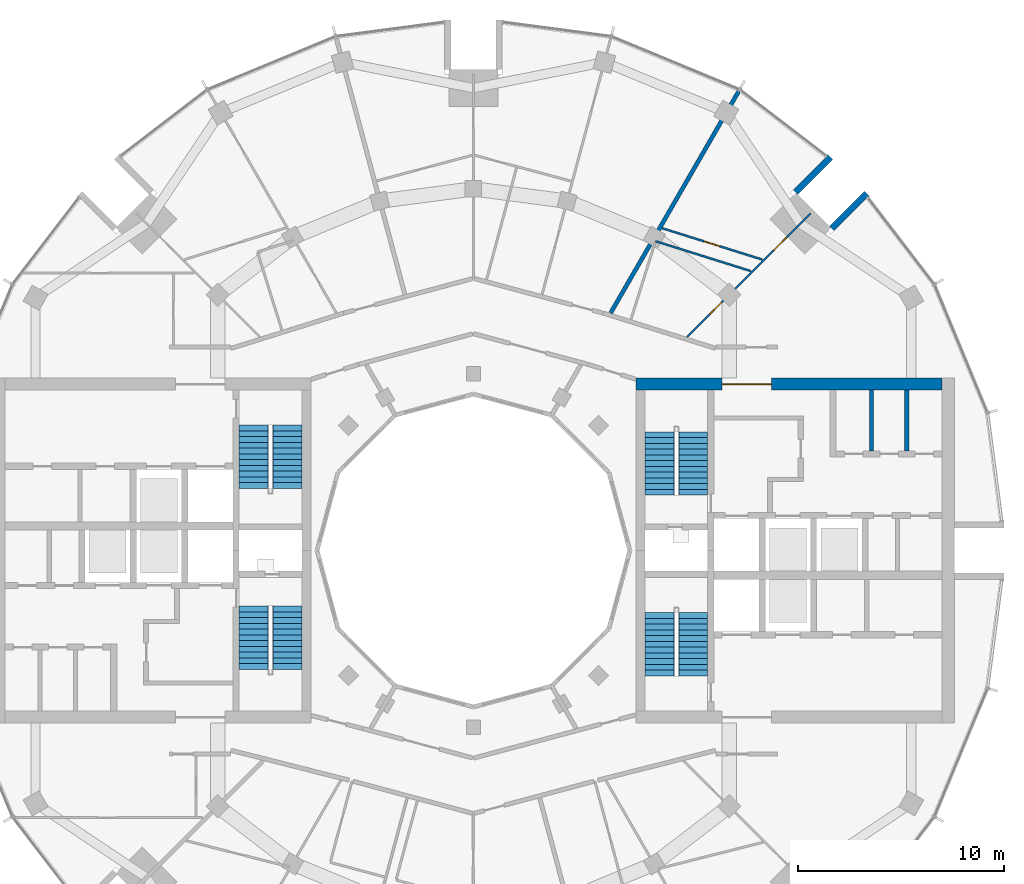
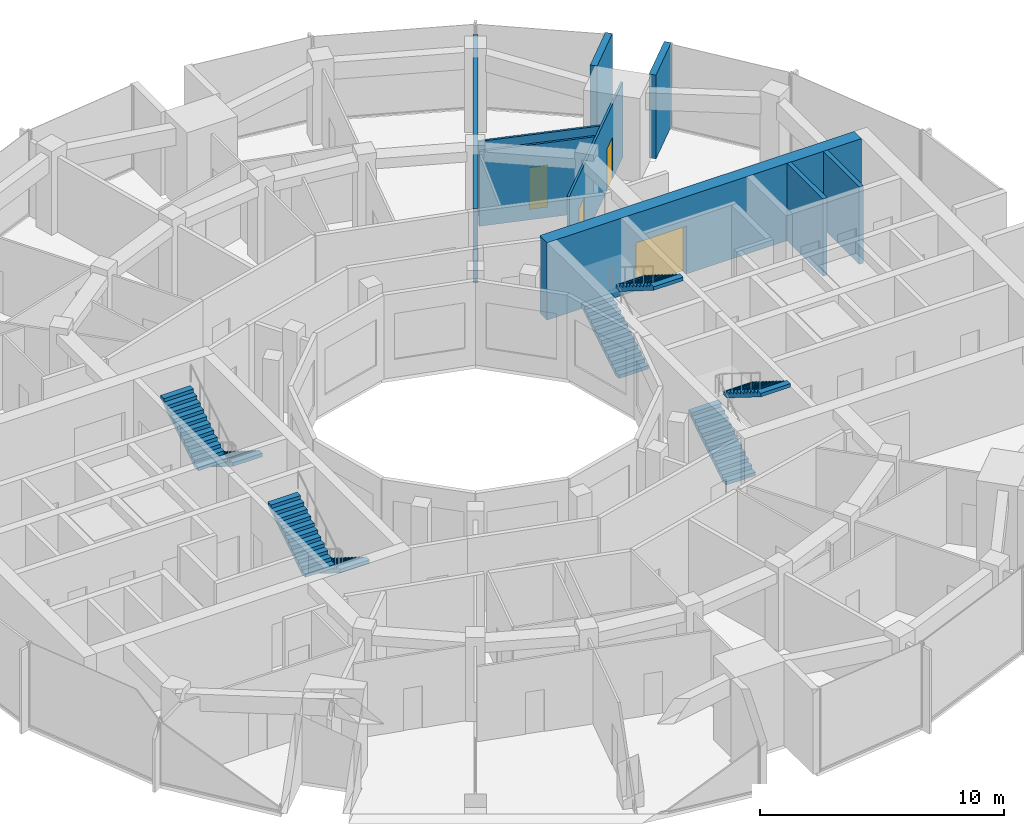
# One storey, part 13 of 15: 9 walls, 8 stair flights, 4 doors, 4 openings, 4 elements without a shape of their own.
"""IFC4 building model written with IfcOpenShell, lengths in metres."""

from ifc_helpers import new_model, si_unit, direction, frame, frame_2d, origin, place, context, subcontext, project, spatial, polyline, rectangle, outline, extrude, material, layer, layer_set, type_object, element, fill, aggregate, save


model = new_model("IFC4")

# Units and contexts
model_context = context("Model", 3, precision=1e-05, world=origin(), true_north=direction((0.0, 1.0)))
body_context = subcontext(model_context, "Body", "Model", "MODEL_VIEW")
ifc_project = project(units=[si_unit("LENGTHUNIT", "METRE"), si_unit("AREAUNIT", "SQUARE_METRE"), si_unit("VOLUMEUNIT", "CUBIC_METRE"), si_unit("PLANEANGLEUNIT", "RADIAN"), si_unit("MASSUNIT", "GRAM", prefix="KILO")], contexts=[model_context])

# Site, building, storey
site_placement = place(None, origin())
site = spatial("IfcSite", under=ifc_project, at=site_placement, CompositionType="ELEMENT")
building_placement = place(site_placement, origin())
building = spatial("IfcBuilding", under=site, at=building_placement, Name="Torre Brocal", CompositionType="ELEMENT")
storey_placement = place(building_placement, frame((0.0, 0.0, 258.300048828125)))
storey = spatial("IfcBuildingStorey", under=building, at=storey_placement, Name="L59", CompositionType="ELEMENT", Elevation=258.300048828125)

# Walls
ifc_material_1 = material(Name="Masonry block", Category="masonry")
ifc_layer_1 = layer(ifc_material_1, 0.199951171875)
ifc_layer_set_1 = layer_set([ifc_layer_1], Name="Masonry block")
wall_type_1 = type_object("IfcWallType", Name="CORE PARTITION 200", PredefinedType="PARTITIONING", material=ifc_layer_set_1)
for number, where, z_axis, x_axis, name in (
    (1, (99.36669921875, 79.85009765625, 0.0), (0.0, 0.0, 1.0), (0.0, 1.0, 0.0), "Wall CP200"),
    (2, (101.083251953125, 79.85009765625, 0.0), (0.0, 0.0, 1.0), (0.0, 1.0, 0.0), "Wall CP200"),
):
    element("IfcWall", number, at=place(storey_placement, frame(where, z_axis=z_axis, x_axis=x_axis)), inside=storey, type_object=wall_type_1, Name=name, PredefinedType="PARTITIONING", context=body_context, shape_type="SweptSolid", body=[
        extrude(rectangle(XDim=2.949951171875, YDim=0.199951171875, at=frame_2d((1.47509765625, 0.0))), origin(), (0.0, 0.0, 1.0), 3.8798828125),
    ])

# Wall, opening, door
ifc_material_2 = material(Name="Concrete C60", Category="concrete")
ifc_layer_2 = layer(ifc_material_2, 0.60009765625)
ifc_layer_set_2 = layer_set([ifc_layer_2], Name="Concrete C60")
wall_type_2 = type_object("IfcWallType", Name="CORE WALL 600 C60", PredefinedType="SHEAR", material=ifc_layer_set_2)
wall_1_placement = place(storey_placement, frame((87.89990234375, 83.10009765625, 0.0), z_axis=(0.0, 0.0, 1.0), x_axis=(1.0, 0.0, 0.0)))
wall_1 = element("IfcWall", 3, at=wall_1_placement, inside=storey, type_object=wall_type_2, Name="Wall CW600-60", PredefinedType="SHEAR", context=body_context, shape_type="SweptSolid", body=[
    extrude(rectangle(XDim=14.900146484375, YDim=0.60009765625, at=frame_2d((7.4501953125, 0.0))), origin(), (0.0, 0.0, 1.0), 3.8798828125),
])
opening_1_placement = place(wall_1_placement, frame((4.199951171875, 0.0, 0.0)))
opening_1 = element("IfcOpeningElement", 4, at=opening_1_placement, cuts=wall_1, Name="Opening E-D12", PredefinedType="OPENING", context=body_context, shape_type="SweptSolid", body=[
    extrude(rectangle(XDim=2.39990234375, YDim=2.39990234375, at=frame_2d((1.199951171875, 1.199951171875))), frame((0.0, 0.31005859375, 0.0), z_axis=(0.0, -1.0, 0.0), x_axis=(1.0, 0.0, 0.0)), (0.0, 0.0, 1.0), 0.6201171875),
])
ifc_material_3 = material(Name="Steel A653", Category="steel")
door_type_1 = type_object("IfcDoorType", Name="DOUBLE FIRE DOOR FD90 2400X2400", OperationType="DOUBLE_DOOR_SINGLE_SWING", PredefinedType="DOOR", material=ifc_material_3)
door_1_placement = place(opening_1_placement, frame((2.39990234375, 0.0, 0.0), z_axis=(0.0, 0.0, 1.0), x_axis=(-1.0, 0.0, 0.0)))
door_1 = element("IfcDoor", 5, at=door_1_placement, inside=storey, type_object=door_type_1, Name="Door E-D12", OperationType="DOUBLE_DOOR_SINGLE_SWING", OverallHeight=2.39990234375, OverallWidth=2.39990234375, PredefinedType="DOOR", context=body_context, shape_type="SweptSolid", body=[
    extrude(rectangle(XDim=2.39990234375, YDim=2.39990234375, at=frame_2d((1.199951171875, 1.199951171875))), frame((0.0, 0.02490234375, 0.0), z_axis=(0.0, -1.0, 0.0), x_axis=(1.0, 0.0, 0.0)), (0.0, 0.0, 1.0), 0.050048828125),
])
fill(opening_1, door_1)

# Walls
ifc_material_4 = material(Name="Concrete C60", Category="concrete")
ifc_layer_3 = layer(ifc_material_4, 0.300048828125)
ifc_layer_set_3 = layer_set([ifc_layer_3], Name="Concrete C60")
wall_type_3 = type_object("IfcWallType", Name="NOTCH RETURN WALL 300 C60", PredefinedType="NOTDEFINED", material=ifc_layer_set_3)
for number, where, z_axis, x_axis, name in (
    (6, (97.43017578125, 90.662353515625, 0.0), (0.0, 0.0, 1.0), (0.707106781187, 0.707106781187, 0.0), "NOTCH RETURN WALL"),
    (7, (95.662353515625, 92.43017578125, 0.0), (0.0, 0.0, 1.0), (0.707106781187, 0.707106781187, 0.0), "NOTCH RETURN WALL"),
):
    element("IfcWall", number, at=place(storey_placement, frame(where, z_axis=z_axis, x_axis=x_axis)), inside=storey, type_object=wall_type_3, Name=name, PredefinedType="NOTDEFINED", context=body_context, shape_type="SweptSolid", body=[
        extrude(rectangle(XDim=2.415771484375, YDim=0.300048828125, at=frame_2d((1.2080078125, 0.0))), origin(), (0.0, 0.0, 1.0), 4.199951171875),
    ])
ifc_material_5 = material(Name="Gypsum board", Category="Gypsum")
ifc_layer_4 = layer(ifc_material_5, 0.10009765625)
ifc_layer_set_4 = layer_set([ifc_layer_4], Name="Gypsum board")
wall_type_4 = type_object("IfcWallType", Name="PARTITION 100", PredefinedType="PARTITIONING", material=ifc_layer_set_4)
wall_2_placement = place(storey_placement, frame((88.85791015625, 90.052978515625, 0.0), z_axis=(0.0, 0.0, 1.0), x_axis=(0.954180222183, -0.299232524294, 0.0)))
element("IfcWall", 8, at=wall_2_placement, inside=storey, type_object=wall_type_4, Name="BATHROOM WALL", PredefinedType="PARTITIONING", context=body_context, shape_type="SweptSolid", body=[
    extrude(rectangle(XDim=4.86279296875, YDim=0.10009765625, at=frame_2d((2.431396484375, 0.0))), origin(), (0.0, 0.0, 1.0), 3.75),
])

# Wall, opening, door
wall_3_placement = place(storey_placement, frame((89.179931640625, 90.68505859375, 0.0), z_axis=(0.0, 0.0, 1.0), x_axis=(0.954251036713, -0.299006620215, 0.0)))
wall_3 = element("IfcWall", 9, at=wall_3_placement, inside=storey, type_object=wall_type_4, Name="BATHROOM WALL", PredefinedType="PARTITIONING", context=body_context, shape_type="SweptSolid", body=[
    extrude(rectangle(XDim=5.110595703125, YDim=0.10009765625, at=frame_2d((2.55517578125, 0.0))), origin(), (0.0, 0.0, 1.0), 3.75),
])
opening_2_placement = place(wall_3_placement, frame((2.140380859375, 0.0, 0.0)))
opening_2 = element("IfcOpeningElement", 10, at=opening_2_placement, cuts=wall_3, Name="Opening B04-D03", PredefinedType="OPENING", context=body_context, shape_type="SweptSolid", body=[
    extrude(rectangle(XDim=0.800048828125, YDim=2.10009765625, at=frame_2d((0.39990234375, 1.050048828125))), frame((0.0, 0.06005859375, 0.0), z_axis=(0.0, -1.0, 0.0), x_axis=(1.0, 0.0, 0.0)), (0.0, 0.0, 1.0), 0.1201171875),
])
ifc_material_6 = material(Name="Timber", Category="wood")
door_type_2 = type_object("IfcDoorType", Name="BATHROOM DOOR 800X2100", OperationType="SINGLE_SWING_LEFT", PredefinedType="DOOR", material=ifc_material_6)
door_2_placement = place(opening_2_placement, frame((0.800048828125, 0.0, 0.0), z_axis=(0.0, 0.0, 1.0), x_axis=(-1.0, 0.0, 0.0)))
door_2 = element("IfcDoor", 11, at=door_2_placement, inside=storey, type_object=door_type_2, Name="B04-D03", OperationType="SINGLE_SWING_LEFT", OverallHeight=2.10009765625, OverallWidth=0.800048828125, PredefinedType="DOOR", context=body_context, shape_type="SweptSolid", body=[
    extrude(rectangle(XDim=0.800048828125, YDim=2.10009765625, at=frame_2d((0.39990234375, 1.050048828125))), frame((0.0, 0.02490234375, 0.0), z_axis=(0.0, -1.0, 0.0), x_axis=(1.0, 0.0, 0.0)), (0.0, 0.0, 1.0), 0.050048828125),
])
fill(opening_2, door_2)

# Wall, openings, doors
wall_4_placement = place(storey_placement, frame((90.39453125, 85.395263671875, 0.0), z_axis=(0.0, 0.0, 1.0), x_axis=(0.707279106146, 0.706934414221, 0.0)))
wall_4 = element("IfcWall", 12, at=wall_4_placement, inside=storey, type_object=wall_type_4, Name="BATHROOM WALL", PredefinedType="PARTITIONING", context=body_context, shape_type="SweptSolid", body=[
    extrude(rectangle(XDim=8.49951171875, YDim=0.10009765625, at=frame_2d((4.249755859375, 0.0))), origin(), (0.0, 0.0, 1.0), 3.75),
])
opening_3_placement = place(wall_4_placement, frame((5.956787109375, 0.0, 0.0)))
opening_3 = element("IfcOpeningElement", 13, at=opening_3_placement, cuts=wall_4, Name="Opening B04-D02", PredefinedType="OPENING", context=body_context, shape_type="SweptSolid", body=[
    extrude(rectangle(XDim=0.89990234375, YDim=2.10009765625, at=frame_2d((0.449951171875, 1.050048828125))), frame((0.0, 0.06005859375, 0.0), z_axis=(0.0, -1.0, 0.0), x_axis=(1.0, 0.0, 0.0)), (0.0, 0.0, 1.0), 0.1201171875),
])
opening_4_placement = place(wall_4_placement, frame((1.56201171875, 0.0, 0.0)))
opening_4 = element("IfcOpeningElement", 14, at=opening_4_placement, cuts=wall_4, Name="Opening B04-D04", PredefinedType="OPENING", context=body_context, shape_type="SweptSolid", body=[
    extrude(rectangle(XDim=0.800048828125, YDim=2.10009765625, at=frame_2d((0.39990234375, 1.050048828125))), frame((0.0, 0.06005859375, 0.0), z_axis=(0.0, -1.0, 0.0), x_axis=(1.0, 0.0, 0.0)), (0.0, 0.0, 1.0), 0.1201171875),
])
door_3_placement = place(opening_4_placement, origin())
door_3 = element("IfcDoor", 15, at=door_3_placement, inside=storey, type_object=door_type_2, Name="B04-D04", OperationType="SINGLE_SWING_LEFT", OverallHeight=2.10009765625, OverallWidth=0.800048828125, PredefinedType="DOOR", context=body_context, shape_type="SweptSolid", body=[
    extrude(rectangle(XDim=0.800048828125, YDim=2.10009765625, at=frame_2d((0.39990234375, 1.050048828125))), frame((0.0, 0.02490234375, 0.0), z_axis=(0.0, -1.0, 0.0), x_axis=(1.0, 0.0, 0.0)), (0.0, 0.0, 1.0), 0.050048828125),
])
fill(opening_4, door_3)
ifc_material_7 = material(Name="Timber", Category="wood")
door_type_3 = type_object("IfcDoorType", Name="ROOM DOOR 900X2100", OperationType="SINGLE_SWING_LEFT", PredefinedType="DOOR", material=ifc_material_7)
door_4_placement = place(opening_3_placement, frame((0.89990234375, 0.0, 0.0), z_axis=(0.0, 0.0, 1.0), x_axis=(-1.0, 0.0, 0.0)))
door_4 = element("IfcDoor", 16, at=door_4_placement, inside=storey, type_object=door_type_3, Name="B04-D02", OperationType="SINGLE_SWING_RIGHT", OverallHeight=2.10009765625, OverallWidth=0.89990234375, PredefinedType="DOOR", context=body_context, shape_type="SweptSolid", body=[
    extrude(rectangle(XDim=0.89990234375, YDim=2.10009765625, at=frame_2d((0.449951171875, 1.050048828125))), frame((0.0, 0.02490234375, 0.0), z_axis=(0.0, -1.0, 0.0), x_axis=(1.0, 0.0, 0.0)), (0.0, 0.0, 1.0), 0.050048828125),
])
fill(opening_3, door_4)

# Wall
ifc_material_8 = material(Name="Gypsum board", Category="Gypsum")
ifc_layer_5 = layer(ifc_material_8, 0.199951171875)
ifc_layer_set_5 = layer_set([ifc_layer_5], Name="Gypsum board")
wall_type_5 = type_object("IfcWallType", Name="PARTITION 200 EI60", PredefinedType="PARTITIONING", material=ifc_layer_set_5)
wall_5_placement = place(storey_placement, frame((86.677001953125, 86.5625, 0.0), z_axis=(0.0, 0.0, 1.0), x_axis=(0.500139020429, 0.865945125424, 0.0)))
element("IfcWall", 17, at=wall_5_placement, inside=storey, type_object=wall_type_5, Name="BATHROOM WALL", PredefinedType="PARTITIONING", context=body_context, shape_type="SweptSolid", body=[
    extrude(rectangle(XDim=12.44580078125, YDim=0.199951171875, at=frame_2d((6.222900390625, 0.0))), origin(), (0.0, 0.0, 1.0), 3.75),
])

# Stair, stair flights
ifc_material_9 = material(Name="Concrete C50", Category="concrete")
stair_type = type_object("IfcStairType", Name="EXIT STAIR", PredefinedType="HALF_TURN_STAIR", material=ifc_material_9)
stair_1_placement = place(storey_placement, origin())
stair_1 = element("IfcStair", 18, at=stair_1_placement, inside=storey, type_object=stair_type, Name="EXIT STAIR ST1", PredefinedType="HALF_TURN_STAIR")
ifc_material_10 = material(Name="Concrete C50", Category="concrete")
ifc_layer_6 = layer(ifc_material_10, 0.14990234375)
ifc_layer_set_6 = layer_set([ifc_layer_6], Name="Concrete C50")
stair_flight_type = type_object("IfcStairFlightType", Name="STAIR FLIGHT", PredefinedType="STRAIGHT", material=ifc_layer_set_6)
stair_flight_1_placement = place(storey_placement, frame((89.050048828125, 77.699951171875, 0.0), z_axis=(0.0, 0.0, 1.0), x_axis=(0.0, 1.0, 0.0)))
stair_flight_1 = element("IfcStairFlight", 19, at=stair_flight_1_placement, type_object=stair_flight_type, Name="ST1 flight 1", NumberOfRisers=12, NumberOfTreads=11, PredefinedType="STRAIGHT", RiserHeight=0.175, TreadLength=0.28, context=body_context, shape_type="SweptSolid", body=[
    extrude(outline(polyline([(0.0, 0.0), (0.0, 0.175048828125), (0.280029296875, 0.175048828125), (0.280029296875, 0.35009765625), (0.56005859375, 0.35009765625), (0.56005859375, 0.52490234375), (0.840087890625, 0.52490234375), (0.840087890625, 0.699951171875), (1.1201171875, 0.699951171875), (1.1201171875, 0.875), (1.39990234375, 0.875), (1.39990234375, 1.050048828125), (1.679931640625, 1.050048828125), (1.679931640625, 1.22509765625), (1.9599609375, 1.22509765625), (1.9599609375, 1.39990234375), (2.239990234375, 1.39990234375), (2.239990234375, 1.574951171875), (2.52001953125, 1.574951171875), (2.52001953125, 1.75), (2.800048828125, 1.75), (2.800048828125, 1.925048828125), (3.080078125, 1.925048828125), (3.080078125, 2.10009765625), (3.080078125, 1.748291015625), (0.28271484375, 0.0), (0.0, 0.0)])), frame((0.0, 0.699951171875, 0.0), z_axis=(0.0, -1.0, 0.0), x_axis=(1.0, 0.0, 0.0)), (0.0, 0.0, 1.0), 1.39990234375),
])
stair_flight_2_placement = place(storey_placement, frame((90.699951171875, 80.780029296875, 2.099853515625), z_axis=(0.0, 0.0, 1.0), x_axis=(0.0, -1.0, 0.0)))
stair_flight_2 = element("IfcStairFlight", 20, at=stair_flight_2_placement, type_object=stair_flight_type, Name="ST1 flight 2", NumberOfRisers=12, NumberOfTreads=11, PredefinedType="STRAIGHT", RiserHeight=0.175, TreadLength=0.28, context=body_context, shape_type="SweptSolid", body=[
    extrude(outline(polyline([(0.0, 0.0), (0.0, 0.175048828125), (0.280029296875, 0.175048828125), (0.280029296875, 0.35009765625), (0.56005859375, 0.35009765625), (0.56005859375, 0.52490234375), (0.840087890625, 0.52490234375), (0.840087890625, 0.699951171875), (1.1201171875, 0.699951171875), (1.1201171875, 0.875), (1.39990234375, 0.875), (1.39990234375, 1.050048828125), (1.679931640625, 1.050048828125), (1.679931640625, 1.22509765625), (1.9599609375, 1.22509765625), (1.9599609375, 1.39990234375), (2.239990234375, 1.39990234375), (2.239990234375, 1.574951171875), (2.52001953125, 1.574951171875), (2.52001953125, 1.75), (2.800048828125, 1.75), (2.800048828125, 1.925048828125), (3.080078125, 1.925048828125), (3.080078125, 2.10009765625), (3.080078125, 1.748291015625), (0.28271484375, 0.0), (0.0, 0.0)])), frame((0.0, 0.699951171875, 0.0), z_axis=(0.0, -1.0, 0.0), x_axis=(1.0, 0.0, 0.0)), (0.0, 0.0, 1.0), 1.39990234375),
])
aggregate(stair_1, [stair_flight_1, stair_flight_2])

stair_2_placement = place(storey_placement, origin())
stair_2 = element("IfcStair", 21, at=stair_2_placement, inside=storey, type_object=stair_type, Name="EXIT STAIR ST2", PredefinedType="HALF_TURN_STAIR")
stair_flight_3_placement = place(storey_placement, frame((89.050048828125, 68.89990234375, 0.0), z_axis=(0.0, 0.0, 1.0), x_axis=(0.0, 1.0, 0.0)))
stair_flight_3 = element("IfcStairFlight", 22, at=stair_flight_3_placement, type_object=stair_flight_type, Name="ST2 flight 1", NumberOfRisers=12, NumberOfTreads=11, PredefinedType="STRAIGHT", RiserHeight=0.175, TreadLength=0.28, context=body_context, shape_type="SweptSolid", body=[
    extrude(outline(polyline([(0.0, 0.0), (0.0, 0.175048828125), (0.280029296875, 0.175048828125), (0.280029296875, 0.35009765625), (0.56005859375, 0.35009765625), (0.56005859375, 0.52490234375), (0.840087890625, 0.52490234375), (0.840087890625, 0.699951171875), (1.1201171875, 0.699951171875), (1.1201171875, 0.875), (1.39990234375, 0.875), (1.39990234375, 1.050048828125), (1.679931640625, 1.050048828125), (1.679931640625, 1.22509765625), (1.9599609375, 1.22509765625), (1.9599609375, 1.39990234375), (2.239990234375, 1.39990234375), (2.239990234375, 1.574951171875), (2.52001953125, 1.574951171875), (2.52001953125, 1.75), (2.800048828125, 1.75), (2.800048828125, 1.925048828125), (3.080078125, 1.925048828125), (3.080078125, 2.10009765625), (3.080078125, 1.748291015625), (0.28271484375, 0.0), (0.0, 0.0)])), frame((0.0, 0.699951171875, 0.0), z_axis=(0.0, -1.0, 0.0), x_axis=(1.0, 0.0, 0.0)), (0.0, 0.0, 1.0), 1.39990234375),
])
stair_flight_4_placement = place(storey_placement, frame((90.699951171875, 71.97998046875, 2.099853515625), z_axis=(0.0, 0.0, 1.0), x_axis=(0.0, -1.0, 0.0)))
stair_flight_4 = element("IfcStairFlight", 23, at=stair_flight_4_placement, type_object=stair_flight_type, Name="ST2 flight 2", NumberOfRisers=12, NumberOfTreads=11, PredefinedType="STRAIGHT", RiserHeight=0.175, TreadLength=0.28, context=body_context, shape_type="SweptSolid", body=[
    extrude(outline(polyline([(0.0, 0.0), (0.0, 0.175048828125), (0.280029296875, 0.175048828125), (0.280029296875, 0.35009765625), (0.56005859375, 0.35009765625), (0.56005859375, 0.52490234375), (0.840087890625, 0.52490234375), (0.840087890625, 0.699951171875), (1.1201171875, 0.699951171875), (1.1201171875, 0.875), (1.39990234375, 0.875), (1.39990234375, 1.050048828125), (1.679931640625, 1.050048828125), (1.679931640625, 1.22509765625), (1.9599609375, 1.22509765625), (1.9599609375, 1.39990234375), (2.239990234375, 1.39990234375), (2.239990234375, 1.574951171875), (2.52001953125, 1.574951171875), (2.52001953125, 1.75), (2.800048828125, 1.75), (2.800048828125, 1.925048828125), (3.080078125, 1.925048828125), (3.080078125, 2.10009765625), (3.080078125, 1.748291015625), (0.28271484375, 0.0), (0.0, 0.0)])), frame((0.0, 0.699951171875, 0.0), z_axis=(0.0, -1.0, 0.0), x_axis=(1.0, 0.0, 0.0)), (0.0, 0.0, 1.0), 1.39990234375),
])
aggregate(stair_2, [stair_flight_3, stair_flight_4])

stair_3_placement = place(storey_placement, origin())
stair_3 = element("IfcStair", 24, at=stair_3_placement, inside=storey, type_object=stair_type, Name="EXIT STAIR ST3", PredefinedType="HALF_TURN_STAIR")
stair_flight_5_placement = place(storey_placement, frame((70.949951171875, 72.300048828125, 0.0), z_axis=(0.0, 0.0, 1.0), x_axis=(0.0, -1.0, 0.0)))
stair_flight_5 = element("IfcStairFlight", 25, at=stair_flight_5_placement, type_object=stair_flight_type, Name="ST3 flight 1", NumberOfRisers=12, NumberOfTreads=11, PredefinedType="STRAIGHT", RiserHeight=0.175, TreadLength=0.28, context=body_context, shape_type="SweptSolid", body=[
    extrude(outline(polyline([(0.0, 0.0), (0.0, 0.175048828125), (0.280029296875, 0.175048828125), (0.280029296875, 0.35009765625), (0.56005859375, 0.35009765625), (0.56005859375, 0.52490234375), (0.840087890625, 0.52490234375), (0.840087890625, 0.699951171875), (1.1201171875, 0.699951171875), (1.1201171875, 0.875), (1.39990234375, 0.875), (1.39990234375, 1.050048828125), (1.679931640625, 1.050048828125), (1.679931640625, 1.22509765625), (1.9599609375, 1.22509765625), (1.9599609375, 1.39990234375), (2.239990234375, 1.39990234375), (2.239990234375, 1.574951171875), (2.52001953125, 1.574951171875), (2.52001953125, 1.75), (2.800048828125, 1.75), (2.800048828125, 1.925048828125), (3.080078125, 1.925048828125), (3.080078125, 2.10009765625), (3.080078125, 1.748291015625), (0.28271484375, 0.0), (0.0, 0.0)])), frame((0.0, 0.699951171875, 0.0), z_axis=(0.0, -1.0, 0.0), x_axis=(1.0, 0.0, 0.0)), (0.0, 0.0, 1.0), 1.39990234375),
])
stair_flight_6_placement = place(storey_placement, frame((69.300048828125, 69.219970703125, 2.099853515625), z_axis=(0.0, 0.0, 1.0), x_axis=(0.0, 1.0, 0.0)))
stair_flight_6 = element("IfcStairFlight", 26, at=stair_flight_6_placement, type_object=stair_flight_type, Name="ST3 flight 2", NumberOfRisers=12, NumberOfTreads=11, PredefinedType="STRAIGHT", RiserHeight=0.175, TreadLength=0.28, context=body_context, shape_type="SweptSolid", body=[
    extrude(outline(polyline([(0.0, 0.0), (0.0, 0.175048828125), (0.280029296875, 0.175048828125), (0.280029296875, 0.35009765625), (0.56005859375, 0.35009765625), (0.56005859375, 0.52490234375), (0.840087890625, 0.52490234375), (0.840087890625, 0.699951171875), (1.1201171875, 0.699951171875), (1.1201171875, 0.875), (1.39990234375, 0.875), (1.39990234375, 1.050048828125), (1.679931640625, 1.050048828125), (1.679931640625, 1.22509765625), (1.9599609375, 1.22509765625), (1.9599609375, 1.39990234375), (2.239990234375, 1.39990234375), (2.239990234375, 1.574951171875), (2.52001953125, 1.574951171875), (2.52001953125, 1.75), (2.800048828125, 1.75), (2.800048828125, 1.925048828125), (3.080078125, 1.925048828125), (3.080078125, 2.10009765625), (3.080078125, 1.748291015625), (0.28271484375, 0.0), (0.0, 0.0)])), frame((0.0, 0.699951171875, 0.0), z_axis=(0.0, -1.0, 0.0), x_axis=(1.0, 0.0, 0.0)), (0.0, 0.0, 1.0), 1.39990234375),
])
aggregate(stair_3, [stair_flight_5, stair_flight_6])

stair_4_placement = place(storey_placement, origin())
stair_4 = element("IfcStair", 27, at=stair_4_placement, inside=storey, type_object=stair_type, Name="EXIT STAIR ST4", PredefinedType="HALF_TURN_STAIR")
stair_flight_7_placement = place(storey_placement, frame((70.949951171875, 81.10009765625, 0.0), z_axis=(0.0, 0.0, 1.0), x_axis=(0.0, -1.0, 0.0)))
stair_flight_7 = element("IfcStairFlight", 28, at=stair_flight_7_placement, type_object=stair_flight_type, Name="ST4 flight 1", NumberOfRisers=12, NumberOfTreads=11, PredefinedType="STRAIGHT", RiserHeight=0.175, TreadLength=0.28, context=body_context, shape_type="SweptSolid", body=[
    extrude(outline(polyline([(0.0, 0.0), (0.0, 0.175048828125), (0.280029296875, 0.175048828125), (0.280029296875, 0.35009765625), (0.56005859375, 0.35009765625), (0.56005859375, 0.52490234375), (0.840087890625, 0.52490234375), (0.840087890625, 0.699951171875), (1.1201171875, 0.699951171875), (1.1201171875, 0.875), (1.39990234375, 0.875), (1.39990234375, 1.050048828125), (1.679931640625, 1.050048828125), (1.679931640625, 1.22509765625), (1.9599609375, 1.22509765625), (1.9599609375, 1.39990234375), (2.239990234375, 1.39990234375), (2.239990234375, 1.574951171875), (2.52001953125, 1.574951171875), (2.52001953125, 1.75), (2.800048828125, 1.75), (2.800048828125, 1.925048828125), (3.080078125, 1.925048828125), (3.080078125, 2.10009765625), (3.080078125, 1.748291015625), (0.28271484375, 0.0), (0.0, 0.0)])), frame((0.0, 0.699951171875, 0.0), z_axis=(0.0, -1.0, 0.0), x_axis=(1.0, 0.0, 0.0)), (0.0, 0.0, 1.0), 1.39990234375),
])
stair_flight_8_placement = place(storey_placement, frame((69.300048828125, 78.02001953125, 2.099853515625), z_axis=(0.0, 0.0, 1.0), x_axis=(0.0, 1.0, 0.0)))
stair_flight_8 = element("IfcStairFlight", 29, at=stair_flight_8_placement, type_object=stair_flight_type, Name="ST4 flight 2", NumberOfRisers=12, NumberOfTreads=11, PredefinedType="STRAIGHT", RiserHeight=0.175, TreadLength=0.28, context=body_context, shape_type="SweptSolid", body=[
    extrude(outline(polyline([(0.0, 0.0), (0.0, 0.175048828125), (0.280029296875, 0.175048828125), (0.280029296875, 0.35009765625), (0.56005859375, 0.35009765625), (0.56005859375, 0.52490234375), (0.840087890625, 0.52490234375), (0.840087890625, 0.699951171875), (1.1201171875, 0.699951171875), (1.1201171875, 0.875), (1.39990234375, 0.875), (1.39990234375, 1.050048828125), (1.679931640625, 1.050048828125), (1.679931640625, 1.22509765625), (1.9599609375, 1.22509765625), (1.9599609375, 1.39990234375), (2.239990234375, 1.39990234375), (2.239990234375, 1.574951171875), (2.52001953125, 1.574951171875), (2.52001953125, 1.75), (2.800048828125, 1.75), (2.800048828125, 1.925048828125), (3.080078125, 1.925048828125), (3.080078125, 2.10009765625), (3.080078125, 1.748291015625), (0.28271484375, 0.0), (0.0, 0.0)])), frame((0.0, 0.699951171875, 0.0), z_axis=(0.0, -1.0, 0.0), x_axis=(1.0, 0.0, 0.0)), (0.0, 0.0, 1.0), 1.39990234375),
])
aggregate(stair_4, [stair_flight_7, stair_flight_8])

save(model, "model.ifc")
